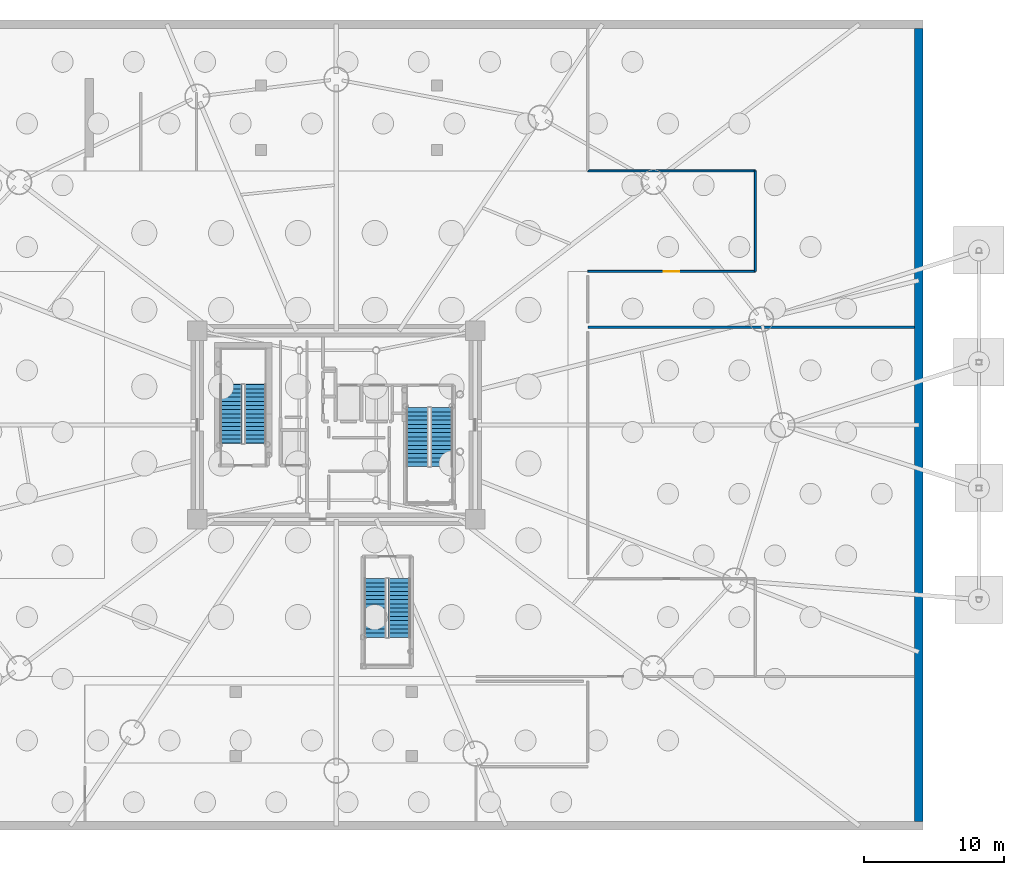
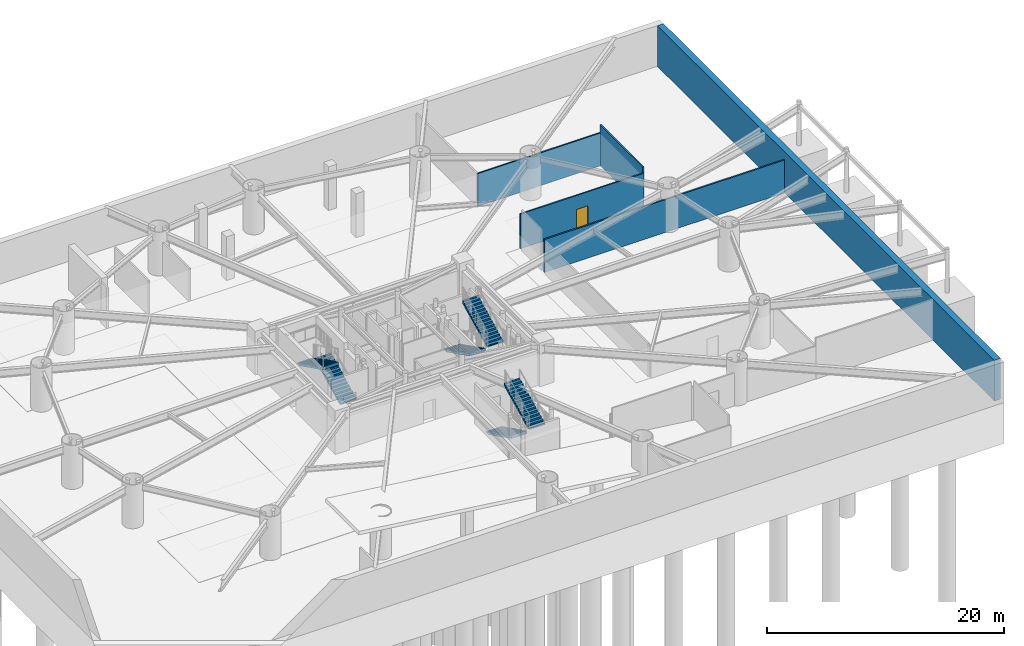
# One storey, part 12 of 18: 6 stair flights, 5 walls, 1 door, 1 opening, 3 elements without a shape of their own.
"""IFC4 building model written with IfcOpenShell, lengths in metres."""

from ifc_helpers import new_model, si_unit, direction, frame, frame_2d, origin, origin_2d, place, context, subcontext, project, spatial, polyline, rectangle, outline, extrude, source, transform, mapped, material, layer, layer_set, type_object, element, fill, aggregate, save


model = new_model("IFC4")

# Units and contexts
model_context = context("Model", 3, precision=1e-05, world=origin(), true_north=direction((0.0, 1.0)))
body_context = subcontext(model_context, "Body", "Model", "MODEL_VIEW")
ifc_project = project(units=[si_unit("LENGTHUNIT", "METRE"), si_unit("AREAUNIT", "SQUARE_METRE"), si_unit("VOLUMEUNIT", "CUBIC_METRE"), si_unit("PLANEANGLEUNIT", "RADIAN"), si_unit("MASSUNIT", "GRAM", prefix="KILO")], contexts=[model_context])

# Site, building, storey
site_placement = place(None, origin())
site = spatial("IfcSite", under=ifc_project, at=site_placement, CompositionType="ELEMENT")
building_placement = place(site_placement, origin())
building = spatial("IfcBuilding", under=site, at=building_placement, Name="Linh Dai School and Residence Tower", CompositionType="ELEMENT")
storey_placement = place(building_placement, frame((0.0, 0.0, -9.0)))
storey = spatial("IfcBuildingStorey", under=building, at=storey_placement, Name="B02", CompositionType="ELEMENT", Elevation=-9.0)

# Wall, opening, door
ifc_material_1 = material(Name="Autoclaved Aerated Concrete Blockwork", Category="masonry")
ifc_layer_1 = layer(ifc_material_1, 0.135009765625)
ifc_layer_set_1 = layer_set([ifc_layer_1], Name="Autoclaved Aerated Concrete Blockwork")
wall_type_1 = type_object("IfcWallType", Name="IW-CORR-135-EI90", PredefinedType="PARTITIONING", material=ifc_layer_set_1)
wall_1_placement = place(storey_placement, frame((54.0, 38.0, 0.0), z_axis=(0.0, 0.0, 1.0), x_axis=(1.0, 0.0, 0.0)))
wall_1 = element("IfcWall", 1, at=wall_1_placement, inside=storey, type_object=wall_type_1, Name="B02 Interior Partition Wall 035", PredefinedType="PARTITIONING", context=body_context, shape_type="SweptSolid", body=[
    extrude(rectangle(XDim=12.0, YDim=0.135009765625, at=frame_2d((6.0, 0.0))), origin(), (0.0, 0.0, 1.0), 3.5849609375),
])
opening_placement = place(wall_1_placement, frame((5.449951171875, 0.0, 0.0)))
opening = element("IfcOpeningElement", 2, at=opening_placement, cuts=wall_1, Name="Opening D07", PredefinedType="OPENING", context=body_context, shape_type="SweptSolid", body=[
    extrude(rectangle(XDim=1.10009765625, YDim=2.14990234375, at=origin_2d()), frame((0.550048828125, 0.07763671875, 1.074951171875), z_axis=(0.0, -1.0, 0.0), x_axis=(1.0, 0.0, 0.0)), (0.0, 0.0, 1.0), 0.155029296875),
])
ifc_material_2 = material(Name="Fire-Rated Louvred Steel Plant Door", Category="steel")
door_type = type_object("IfcDoorType", Name="DR-PLT-1100x2150-FD60S", OperationType="NOTDEFINED", PredefinedType="DOOR", material=ifc_material_2)
shared_shape_1 = source(origin(), body_context, "Body", "SweptSolid", [
    extrude(rectangle(XDim=1.10009765625, YDim=2.14990234375, at=origin_2d()), frame((0.550048828125, 0.02490234375, 1.074951171875), z_axis=(0.0, -1.0, 0.0), x_axis=(1.0, 0.0, 0.0)), (0.0, 0.0, 1.0), 0.050048828125),
])
door_placement = place(opening_placement, origin())
door = element("IfcDoor", 3, at=door_placement, inside=storey, type_object=door_type, Name="B02 Standby Diesel Generator and Switchgear Hall Door", OperationType="SINGLE_SWING_RIGHT", OverallHeight=2.14990234375, OverallWidth=1.10009765625, PredefinedType="DOOR", context=body_context, shape_type="MappedRepresentation", body=[
    mapped(shared_shape_1, transform((0.0, 0.0, 0.0), x_axis=(1.0, 0.0, 0.0), y_axis=(0.0, 1.0, 0.0), z_axis=(0.0, 0.0, 1.0), scale=1.0)),
])
fill(opening, door)

# Walls
wall_2_placement = place(storey_placement, frame((54.0, 45.199951171875, 0.0), z_axis=(0.0, 0.0, 1.0), x_axis=(1.0, 0.0, 0.0)))
element("IfcWall", 4, at=wall_2_placement, inside=storey, type_object=wall_type_1, Name="B02 Interior Partition Wall 037", PredefinedType="PARTITIONING", context=body_context, shape_type="SweptSolid", body=[
    extrude(rectangle(XDim=12.0, YDim=0.135009765625, at=frame_2d((6.0, 0.0))), origin(), (0.0, 0.0, 1.0), 3.385009765625),
])
wall_3_placement = place(storey_placement, frame((66.0, 38.0, 0.0), z_axis=(0.0, 0.0, 1.0), x_axis=(0.0, 1.0, 0.0)))
element("IfcWall", 5, at=wall_3_placement, inside=storey, type_object=wall_type_1, Name="B02 Interior Partition Wall 040", PredefinedType="PARTITIONING", context=body_context, shape_type="SweptSolid", body=[
    extrude(rectangle(XDim=7.199951171875, YDim=0.135009765625, at=frame_2d((3.60009765625, 0.0))), origin(), (0.0, 0.0, 1.0), 4.199951171875),
])
ifc_layer_2 = layer(ifc_material_1, 0.14990234375)
ifc_layer_set_2 = layer_set([ifc_layer_2], Name="Autoclaved Aerated Concrete Blockwork")
wall_type_2 = type_object("IfcWallType", Name="IW-SCH-150-EI60", PredefinedType="PARTITIONING", material=ifc_layer_set_2)
wall_4_placement = place(storey_placement, frame((54.0, 34.0, 0.0), z_axis=(0.0, 0.0, 1.0), x_axis=(1.0, 0.0, 0.0)))
element("IfcWall", 6, at=wall_4_placement, inside=storey, type_object=wall_type_2, Name="B02 Interior Partition Wall 034", PredefinedType="PARTITIONING", context=body_context, shape_type="SweptSolid", body=[
    extrude(rectangle(XDim=23.39990234375, YDim=0.14990234375, at=frame_2d((11.699951171875, 0.0))), origin(), (0.0, 0.0, 1.0), 3.385009765625),
])
ifc_material_3 = material(Name="Concrete B45 (C35/45)", Category="concrete")
ifc_layer_3 = layer(ifc_material_3, 0.60009765625)
ifc_layer_set_3 = layer_set([ifc_layer_3], Name="Concrete B45 (C35/45)")
wall_type_3 = type_object("IfcWallType", Name="WL-RET600", PredefinedType="SHEAR", material=ifc_layer_set_3)
wall_5_placement = place(storey_placement, frame((77.699951171875, 55.39990234375, 0.0), z_axis=(0.0, 0.0, 1.0), x_axis=(0.0, -1.0, 0.0)))
element("IfcWall", 7, at=wall_5_placement, inside=storey, type_object=wall_type_3, Name="B02 Basement Perimeter Retaining Wall E", PredefinedType="SHEAR", context=body_context, shape_type="SweptSolid", body=[
    extrude(rectangle(XDim=56.7998046875, YDim=0.60009765625, at=frame_2d((28.39990234375, 0.0))), origin(), (0.0, 0.0, 1.0), 4.199951171875),
])

# Stair, stair flights
stair_type = type_object("IfcStairType", Name="ST-DOG-1550-R1500", PredefinedType="HALF_TURN_STAIR", material=ifc_material_3)
stair_1_placement = place(storey_placement, origin())
stair_1 = element("IfcStair", 8, at=stair_1_placement, inside=storey, type_object=stair_type, Name="B02 Core Smokeproof Exit Stair ST1", PredefinedType="HALF_TURN_STAIR")
stair_flight_type = type_object("IfcStairFlightType", Name="STF-STR-1550-R1500", PredefinedType="STRAIGHT", material=ifc_material_3)
shared_shape_2 = source(origin(), body_context, "Body", "SweptSolid", [
    extrude(outline(polyline([(-0.02490234375, 0.0), (-0.02490234375, 0.06005859375), (0.0, 0.06005859375), (0.0, 0.14990234375), (0.300048828125, 0.14990234375), (0.300048828125, 0.300048828125), (0.60009765625, 0.300048828125), (0.60009765625, 0.449951171875), (0.89990234375, 0.449951171875), (0.89990234375, 0.60009765625), (1.199951171875, 0.60009765625), (1.199951171875, 0.75), (1.5, 0.75), (1.5, 0.89990234375), (1.800048828125, 0.89990234375), (1.800048828125, 1.050048828125), (2.10009765625, 1.050048828125), (2.10009765625, 1.199951171875), (2.39990234375, 1.199951171875), (2.39990234375, 1.35009765625), (2.699951171875, 1.35009765625), (2.699951171875, 1.5), (3.0, 1.5), (3.0, 1.64990234375), (3.300048828125, 1.64990234375), (3.300048828125, 1.800048828125), (3.60009765625, 1.800048828125), (3.60009765625, 1.949951171875), (3.89990234375, 1.949951171875), (3.89990234375, 2.10009765625), (4.199951171875, 2.10009765625), (4.199951171875, 2.25), (4.22509765625, 2.25), (4.22509765625, 1.932373046875), (4.199951171875, 1.932373046875), (0.335205078125, 0.0), (-0.02490234375, 0.0)])), frame((0.0, 0.77490234375, 0.0), z_axis=(0.0, -1.0, 0.0), x_axis=(1.0, 0.0, 0.0)), (0.0, 0.0, 1.0), 1.550048828125),
])
stair_flight_1_placement = place(storey_placement, frame((30.205078125, 25.699951171875, 0.0), z_axis=(0.0, 0.0, 1.0), x_axis=(0.0, 1.0, 0.0)))
stair_flight_1 = element("IfcStairFlight", 9, at=stair_flight_1_placement, type_object=stair_flight_type, Name="ST1 flight 1", NumberOfRisers=15, NumberOfTreads=14, PredefinedType="STRAIGHT", RiserHeight=0.15, TreadLength=0.3, context=body_context, shape_type="MappedRepresentation", body=[
    mapped(shared_shape_2, transform((0.0, 0.0, 0.0), x_axis=(1.0, 0.0, 0.0), y_axis=(0.0, 1.0, 0.0), z_axis=(0.0, 0.0, 1.0), scale=1.0)),
])
stair_flight_2_placement = place(storey_placement, frame((28.455078125, 29.89990234375, 2.25), z_axis=(0.0, 0.0, 1.0), x_axis=(0.0, -1.0, 0.0)))
stair_flight_2 = element("IfcStairFlight", 10, at=stair_flight_2_placement, type_object=stair_flight_type, Name="ST1 flight 2", NumberOfRisers=15, NumberOfTreads=14, PredefinedType="STRAIGHT", RiserHeight=0.15, TreadLength=0.3, context=body_context, shape_type="MappedRepresentation", body=[
    mapped(shared_shape_2, transform((0.0, 0.0, 0.0), x_axis=(1.0, 0.0, 0.0), y_axis=(0.0, 1.0, 0.0), z_axis=(0.0, 0.0, 1.0), scale=1.0)),
])
aggregate(stair_1, [stair_flight_1, stair_flight_2])

stair_2_placement = place(storey_placement, origin())
stair_2 = element("IfcStair", 11, at=stair_2_placement, inside=storey, type_object=stair_type, Name="B02 Core Smokeproof Exit Stair ST2", PredefinedType="HALF_TURN_STAIR")
stair_flight_3_placement = place(storey_placement, frame((41.794921875, 28.25, 0.0), z_axis=(0.0, 0.0, 1.0), x_axis=(0.0, -1.0, 0.0)))
stair_flight_3 = element("IfcStairFlight", 12, at=stair_flight_3_placement, type_object=stair_flight_type, Name="ST2 flight 1", NumberOfRisers=15, NumberOfTreads=14, PredefinedType="STRAIGHT", RiserHeight=0.15, TreadLength=0.3, context=body_context, shape_type="MappedRepresentation", body=[
    mapped(shared_shape_2, transform((0.0, 0.0, 0.0), x_axis=(1.0, 0.0, 0.0), y_axis=(0.0, 1.0, 0.0), z_axis=(0.0, 0.0, 1.0), scale=1.0)),
])
stair_flight_4_placement = place(storey_placement, frame((43.544921875, 24.050048828125, 2.25), z_axis=(0.0, 0.0, 1.0), x_axis=(0.0, 1.0, 0.0)))
stair_flight_4 = element("IfcStairFlight", 13, at=stair_flight_4_placement, type_object=stair_flight_type, Name="ST2 flight 2", NumberOfRisers=15, NumberOfTreads=14, PredefinedType="STRAIGHT", RiserHeight=0.15, TreadLength=0.3, context=body_context, shape_type="MappedRepresentation", body=[
    mapped(shared_shape_2, transform((0.0, 0.0, 0.0), x_axis=(1.0, 0.0, 0.0), y_axis=(0.0, 1.0, 0.0), z_axis=(0.0, 0.0, 1.0), scale=1.0)),
])
aggregate(stair_2, [stair_flight_3, stair_flight_4])

stair_3_placement = place(storey_placement, origin())
stair_3 = element("IfcStair", 14, at=stair_3_placement, inside=storey, type_object=stair_type, Name="B02 Basement Exit Stair STB1", PredefinedType="HALF_TURN_STAIR")
stair_flight_5_placement = place(storey_placement, frame((38.77490234375, 16.0, 0.0), z_axis=(0.0, 0.0, 1.0), x_axis=(0.0, -1.0, 0.0)))
stair_flight_5 = element("IfcStairFlight", 15, at=stair_flight_5_placement, type_object=stair_flight_type, Name="STB1 flight 1", NumberOfRisers=15, NumberOfTreads=14, PredefinedType="STRAIGHT", RiserHeight=0.15, TreadLength=0.3, context=body_context, shape_type="MappedRepresentation", body=[
    mapped(shared_shape_2, transform((0.0, 0.0, 0.0), x_axis=(1.0, 0.0, 0.0), y_axis=(0.0, 1.0, 0.0), z_axis=(0.0, 0.0, 1.0), scale=1.0)),
])
stair_flight_6_placement = place(storey_placement, frame((40.52490234375, 11.800048828125, 2.25), z_axis=(0.0, 0.0, 1.0), x_axis=(0.0, 1.0, 0.0)))
stair_flight_6 = element("IfcStairFlight", 16, at=stair_flight_6_placement, type_object=stair_flight_type, Name="STB1 flight 2", NumberOfRisers=15, NumberOfTreads=14, PredefinedType="STRAIGHT", RiserHeight=0.15, TreadLength=0.3, context=body_context, shape_type="MappedRepresentation", body=[
    mapped(shared_shape_2, transform((0.0, 0.0, 0.0), x_axis=(1.0, 0.0, 0.0), y_axis=(0.0, 1.0, 0.0), z_axis=(0.0, 0.0, 1.0), scale=1.0)),
])
aggregate(stair_3, [stair_flight_5, stair_flight_6])

save(model, "model.ifc")
